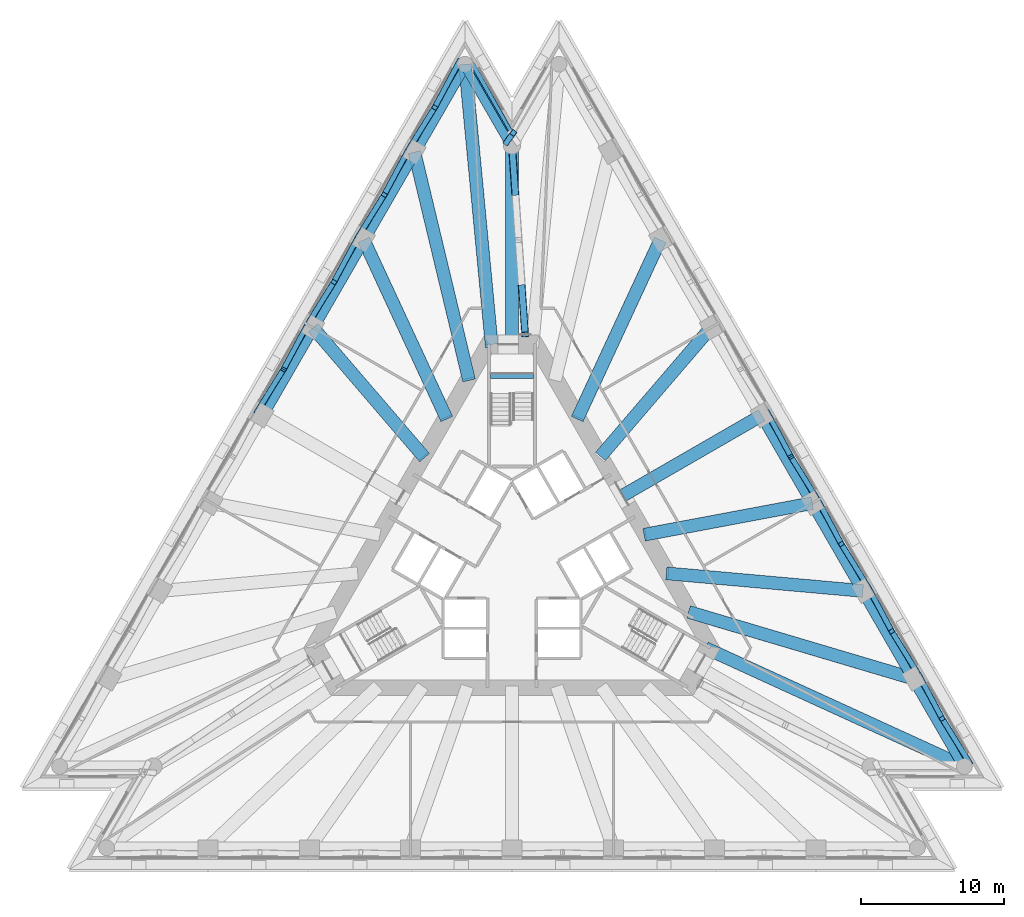
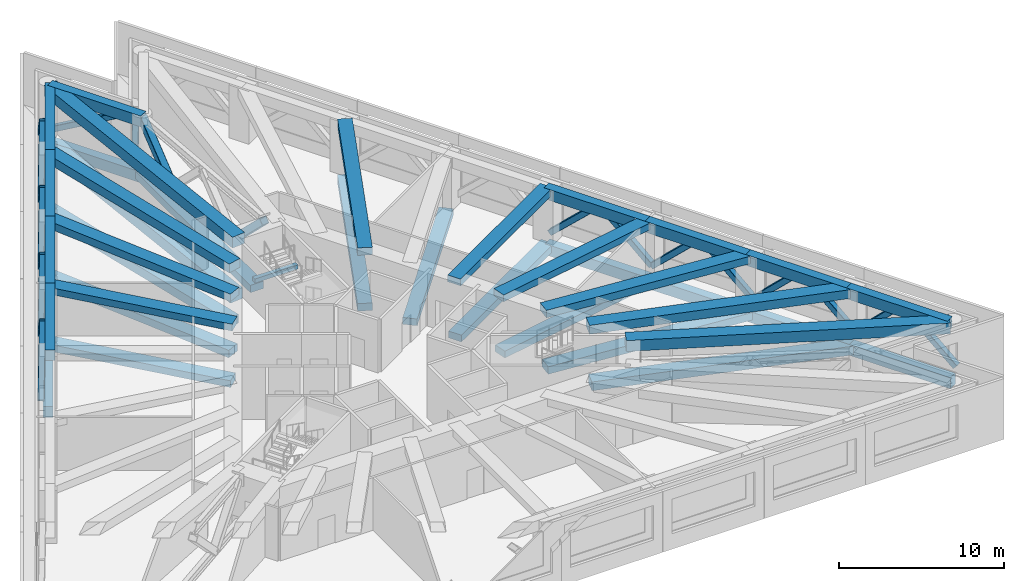
# One storey, part 3 of 13: 40 beams, 20 members.
"""IFC4 building model written with IfcOpenShell, lengths in metres."""

from ifc_helpers import new_model, si_unit, direction, frame, origin, origin_2d, place, context, subcontext, project, spatial, rectangle, hollow_rectangle, extrude, material, material_profile, profile_set, type_object, element, save


model = new_model("IFC4")

# Units and contexts
model_context = context("Model", 3, precision=1e-05, world=origin(), true_north=direction((0.0, 1.0)))
body_context = subcontext(model_context, "Body", "Model", "MODEL_VIEW")
ifc_project = project(units=[si_unit("LENGTHUNIT", "METRE"), si_unit("AREAUNIT", "SQUARE_METRE"), si_unit("VOLUMEUNIT", "CUBIC_METRE"), si_unit("PLANEANGLEUNIT", "RADIAN"), si_unit("MASSUNIT", "GRAM", prefix="KILO")], contexts=[model_context])

# Site, building, storey
site_placement = place(None, origin())
site = spatial("IfcSite", under=ifc_project, at=site_placement, CompositionType="ELEMENT")
building_placement = place(site_placement, origin())
building = spatial("IfcBuilding", under=site, at=building_placement, Name="Triada Interchange Tower", CompositionType="ELEMENT")
storey_placement = place(building_placement, frame((0.0, 0.0, 95.300048828125)))
storey = spatial("IfcBuildingStorey", under=building, at=storey_placement, Name="L21", CompositionType="ELEMENT", Elevation=95.300048828125)

# Members
ifc_material_1 = material(Name="Steel S355", Category="steel")
ifc_material_profile_1 = material_profile(ifc_material_1, hollow_rectangle(XDim=0.39990234375, YDim=0.39990234375, WallThickness=0.02001953125, InnerFilletRadius=0.02001953125, OuterFilletRadius=0.030029296875, at=origin_2d()), Name="RHS 400x400x20")
ifc_profile_set_1 = profile_set([ifc_material_profile_1], Name="Steel S355")
member_type_1 = type_object("IfcMemberType", Name="Belt truss diagonal RHS 400x400x20", PredefinedType="BRACE", material=ifc_profile_set_1)
member_1_placement = place(storey_placement, frame((-3.659912109375, 34.81396484375, 0.14990234375), z_axis=(-0.350368033847, -0.651026989502, 0.673354364208), x_axis=(0.880575510058, -0.473905867326, 0.0)))
element("IfcMember", 1, at=member_1_placement, inside=storey, type_object=member_type_1, Name="Belt truss diagonal 001 L21", PredefinedType="BRACE", context=body_context, shape_type="SweptSolid", body=[
    extrude(hollow_rectangle(XDim=0.39990234375, YDim=0.39990234375, WallThickness=0.02001953125, InnerFilletRadius=0.02001953125, OuterFilletRadius=0.030029296875, at=origin_2d()), origin(), (0.0, 0.0, 1.0), 4.975341796875),
])
member_2_placement = place(storey_placement, frame((-7.199951171875, 28.68310546875, 0.14990234375), z_axis=(0.37619292346, 0.605435486194, 0.70137490431), x_axis=(-0.849385240817, 0.527773353517, 0.0)))
element("IfcMember", 2, at=member_2_placement, inside=storey, type_object=member_type_1, Name="Belt truss diagonal 002 L21", PredefinedType="BRACE", context=body_context, shape_type="SweptSolid", body=[
    extrude(hollow_rectangle(XDim=0.39990234375, YDim=0.39990234375, WallThickness=0.02001953125, InnerFilletRadius=0.02001953125, OuterFilletRadius=0.030029296875, at=origin_2d()), origin(), (0.0, 0.0, 1.0), 4.7763671875),
])
member_3_placement = place(storey_placement, frame((-7.199951171875, 28.68310546875, 0.14990234375), z_axis=(-0.34850622911, -0.648057745776, 0.677173955798), x_axis=(0.880725090052, -0.47362782409, 0.0)))
element("IfcMember", 3, at=member_3_placement, inside=storey, type_object=member_type_1, Name="Belt truss diagonal 003 L21", PredefinedType="BRACE", context=body_context, shape_type="SweptSolid", body=[
    extrude(hollow_rectangle(XDim=0.39990234375, YDim=0.39990234375, WallThickness=0.02001953125, InnerFilletRadius=0.02001953125, OuterFilletRadius=0.030029296875, at=origin_2d()), origin(), (0.0, 0.0, 1.0), 4.947265625),
])
member_4_placement = place(storey_placement, frame((-10.739990234375, 22.551025390625, 0.14990234375), z_axis=(0.377969135836, 0.609029321457, 0.697296649899), x_axis=(-0.849670835009, 0.527313447709, 0.0)))
element("IfcMember", 4, at=member_4_placement, inside=storey, type_object=member_type_1, Name="Belt truss diagonal 004 L21", PredefinedType="BRACE", context=body_context, shape_type="SweptSolid", body=[
    extrude(hollow_rectangle(XDim=0.39990234375, YDim=0.39990234375, WallThickness=0.02001953125, InnerFilletRadius=0.02001953125, OuterFilletRadius=0.030029296875, at=origin_2d()), origin(), (0.0, 0.0, 1.0), 4.804443359375),
])
member_5_placement = place(storey_placement, frame((-10.739990234375, 22.551025390625, 0.14990234375), z_axis=(-0.346527764516, -0.644849446031, 0.681239825886), x_axis=(0.880869288949, -0.473359584022, 0.0)))
element("IfcMember", 5, at=member_5_placement, inside=storey, type_object=member_type_1, Name="Belt truss diagonal 005 L21", PredefinedType="BRACE", context=body_context, shape_type="SweptSolid", body=[
    extrude(hollow_rectangle(XDim=0.39990234375, YDim=0.39990234375, WallThickness=0.02001953125, InnerFilletRadius=0.02001953125, OuterFilletRadius=0.030029296875, at=origin_2d()), origin(), (0.0, 0.0, 1.0), 4.917724609375),
])
member_6_placement = place(storey_placement, frame((-14.280029296875, 16.419921875, 0.14990234375), z_axis=(0.37989728896, 0.612483341935, 0.693211515839), x_axis=(-0.849804737525, 0.527097626707, 0.0)))
element("IfcMember", 6, at=member_6_placement, inside=storey, type_object=member_type_1, Name="Belt truss diagonal 006 L21", PredefinedType="BRACE", context=body_context, shape_type="SweptSolid", body=[
    extrude(hollow_rectangle(XDim=0.39990234375, YDim=0.39990234375, WallThickness=0.02001953125, InnerFilletRadius=0.02001953125, OuterFilletRadius=0.030029296875, at=origin_2d()), origin(), (0.0, 0.0, 1.0), 4.832763671875),
])
member_7_placement = place(storey_placement, frame((-14.280029296875, 16.419921875, 0.14990234375), z_axis=(-0.344613363129, -0.641743778079, 0.685132507804), x_axis=(0.881009772568, -0.47309806662, 0.0)))
element("IfcMember", 7, at=member_7_placement, inside=storey, type_object=member_type_1, Name="Belt truss diagonal 007 L21", PredefinedType="BRACE", context=body_context, shape_type="SweptSolid", body=[
    extrude(hollow_rectangle(XDim=0.39990234375, YDim=0.39990234375, WallThickness=0.02001953125, InnerFilletRadius=0.02001953125, OuterFilletRadius=0.030029296875, at=origin_2d()), origin(), (0.0, 0.0, 1.0), 4.8896484375),
])
member_8_placement = place(storey_placement, frame((-17.820068359375, 10.2880859375, 0.14990234375), z_axis=(0.381619223838, 0.615924788356, 0.689204920967), x_axis=(-0.850059738448, 0.526686283351, 0.0)))
element("IfcMember", 8, at=member_8_placement, inside=storey, type_object=member_type_1, Name="Belt truss diagonal 008 L21", PredefinedType="BRACE", context=body_context, shape_type="SweptSolid", body=[
    extrude(hollow_rectangle(XDim=0.39990234375, YDim=0.39990234375, WallThickness=0.02001953125, InnerFilletRadius=0.02001953125, OuterFilletRadius=0.030029296875, at=origin_2d()), origin(), (0.0, 0.0, 1.0), 4.86083984375),
])
member_9_placement = place(storey_placement, frame((31.97998046875, -14.237060546875, 0.14990234375), z_axis=(-0.38872263528, 0.628914165158, 0.673321383654), x_axis=(-0.850631267183, -0.525762729081, 0.0)))
element("IfcMember", 9, at=member_9_placement, inside=storey, type_object=member_type_1, Name="Belt truss diagonal 041 L21", PredefinedType="BRACE", context=body_context, shape_type="SweptSolid", body=[
    extrude(hollow_rectangle(XDim=0.39990234375, YDim=0.39990234375, WallThickness=0.02001953125, InnerFilletRadius=0.02001953125, OuterFilletRadius=0.030029296875, at=origin_2d()), origin(), (0.0, 0.0, 1.0), 4.9755859375),
])
member_10_placement = place(storey_placement, frame((28.43994140625, -8.10595703125, 0.14990234375), z_axis=(0.336227662925, -0.628497315798, 0.701385830138), x_axis=(0.881752735062, 0.471711897466, 0.0)))
element("IfcMember", 10, at=member_10_placement, inside=storey, type_object=member_type_1, Name="Belt truss diagonal 042 L21", PredefinedType="BRACE", context=body_context, shape_type="SweptSolid", body=[
    extrude(hollow_rectangle(XDim=0.39990234375, YDim=0.39990234375, WallThickness=0.02001953125, InnerFilletRadius=0.02001953125, OuterFilletRadius=0.030029296875, at=origin_2d()), origin(), (0.0, 0.0, 1.0), 4.7763671875),
])
member_11_placement = place(storey_placement, frame((28.43994140625, -8.10595703125, 0.14990234375), z_axis=(-0.386970523008, 0.625717515329, 0.677297132235), x_axis=(-0.8504952598, -0.525982711748, 0.0)))
element("IfcMember", 11, at=member_11_placement, inside=storey, type_object=member_type_1, Name="Belt truss diagonal 043 L21", PredefinedType="BRACE", context=body_context, shape_type="SweptSolid", body=[
    extrude(hollow_rectangle(XDim=0.39990234375, YDim=0.39990234375, WallThickness=0.02001953125, InnerFilletRadius=0.02001953125, OuterFilletRadius=0.030029296875, at=origin_2d()), origin(), (0.0, 0.0, 1.0), 4.9462890625),
])
member_12_placement = place(storey_placement, frame((24.89990234375, -1.97412109375, 0.14990234375), z_axis=(0.338381782857, -0.632001651194, 0.697188412066), x_axis=(0.881590575317, 0.472014891198, 0.0)))
element("IfcMember", 12, at=member_12_placement, inside=storey, type_object=member_type_1, Name="Belt truss diagonal 044 L21", PredefinedType="BRACE", context=body_context, shape_type="SweptSolid", body=[
    extrude(hollow_rectangle(XDim=0.39990234375, YDim=0.39990234375, WallThickness=0.02001953125, InnerFilletRadius=0.02001953125, OuterFilletRadius=0.030029296875, at=origin_2d()), origin(), (0.0, 0.0, 1.0), 4.80517578125),
])
member_13_placement = place(storey_placement, frame((24.89990234375, -1.97412109375, 0.14990234375), z_axis=(-0.385343396763, 0.622447244088, 0.681226757328), x_axis=(-0.850253584729, -0.526373291168, 0.0)))
element("IfcMember", 13, at=member_13_placement, inside=storey, type_object=member_type_1, Name="Belt truss diagonal 045 L21", PredefinedType="BRACE", context=body_context, shape_type="SweptSolid", body=[
    extrude(hollow_rectangle(XDim=0.39990234375, YDim=0.39990234375, WallThickness=0.02001953125, InnerFilletRadius=0.02001953125, OuterFilletRadius=0.030029296875, at=origin_2d()), origin(), (0.0, 0.0, 1.0), 4.917724609375),
])
member_14_placement = place(storey_placement, frame((21.360107421875, 4.156982421875, 0.14990234375), z_axis=(0.340351909776, -0.63528651706, 0.693232730584), x_axis=(0.881468506946, 0.472242809646, 0.0)))
element("IfcMember", 14, at=member_14_placement, inside=storey, type_object=member_type_1, Name="Belt truss diagonal 046 L21", PredefinedType="BRACE", context=body_context, shape_type="SweptSolid", body=[
    extrude(hollow_rectangle(XDim=0.39990234375, YDim=0.39990234375, WallThickness=0.02001953125, InnerFilletRadius=0.02001953125, OuterFilletRadius=0.030029296875, at=origin_2d()), origin(), (0.0, 0.0, 1.0), 4.83251953125),
])
member_15_placement = place(storey_placement, frame((21.360107421875, 4.156982421875, 0.14990234375), z_axis=(-0.383468261877, 0.619291256779, 0.685149933526), x_axis=(-0.850205245653, -0.526451365526, 0.0)))
element("IfcMember", 15, at=member_15_placement, inside=storey, type_object=member_type_1, Name="Belt truss diagonal 047 L21", PredefinedType="BRACE", context=body_context, shape_type="SweptSolid", body=[
    extrude(hollow_rectangle(XDim=0.39990234375, YDim=0.39990234375, WallThickness=0.02001953125, InnerFilletRadius=0.02001953125, OuterFilletRadius=0.030029296875, at=origin_2d()), origin(), (0.0, 0.0, 1.0), 4.8896484375),
])
member_16_placement = place(storey_placement, frame((17.820068359375, 10.2880859375, 0.14990234375), z_axis=(0.342566635054, -0.638419638056, 0.689252106483), x_axis=(0.881160268064, 0.472817704815, 0.0)))
element("IfcMember", 16, at=member_16_placement, inside=storey, type_object=member_type_1, Name="Belt truss diagonal 048 L21", PredefinedType="BRACE", context=body_context, shape_type="SweptSolid", body=[
    extrude(hollow_rectangle(XDim=0.39990234375, YDim=0.39990234375, WallThickness=0.02001953125, InnerFilletRadius=0.02001953125, OuterFilletRadius=0.030029296875, at=origin_2d()), origin(), (0.0, 0.0, 1.0), 4.860595703125),
])
member_17_placement = place(storey_placement, frame((-0.381103515625, 29.134033203125, 0.14990234375), z_axis=(0.138593336362, 0.193379466262, 0.971285884353), x_axis=(-0.812807736318, 0.582532045282, 0.0)))
element("IfcMember", 17, at=member_17_placement, inside=storey, type_object=member_type_1, Name="Belt truss diagonal 058 L21", PredefinedType="BRACE", context=body_context, shape_type="SweptSolid", body=[
    extrude(hollow_rectangle(XDim=0.39990234375, YDim=0.39990234375, WallThickness=0.02001953125, InnerFilletRadius=0.02001953125, OuterFilletRadius=0.030029296875, at=origin_2d()), origin(), (0.0, 0.0, 1.0), 3.44921875),
])
member_18_placement = place(storey_placement, frame((-2.89794921875, 34.81396484375, 0.14990234375), z_axis=(0.421321361817, -0.75403046476, 0.503911071808), x_axis=(0.872967443256, 0.487778477401, 0.0)))
element("IfcMember", 18, at=member_18_placement, inside=storey, type_object=member_type_1, Name="Belt truss diagonal 060 L21", PredefinedType="BRACE", context=body_context, shape_type="SweptSolid", body=[
    extrude(hollow_rectangle(XDim=0.39990234375, YDim=0.39990234375, WallThickness=0.02001953125, InnerFilletRadius=0.02001953125, OuterFilletRadius=0.030029296875, at=origin_2d()), origin(), (0.0, 0.0, 1.0), 6.648193359375),
])

# Beam
ifc_material_2 = material(Name="Concrete C35/45", Category="concrete")
ifc_material_profile_2 = material_profile(ifc_material_2, rectangle(XDim=0.300048828125, YDim=0.300048828125, at=origin_2d()), Name="RC 300x300")
ifc_profile_set_2 = profile_set([ifc_material_profile_2], Name="Concrete C35/45")
beam_type_1 = type_object("IfcBeamType", Name="Landing support beam RC 300x300", PredefinedType="BEAM", material=ifc_profile_set_2)
beam_1_placement = place(storey_placement, frame((1.5, 12.800048828125, 1.822265625), z_axis=(-1.0, 0.0, 0.0), x_axis=(0.0, -1.0, 0.0)))
element("IfcBeam", 19, at=beam_1_placement, inside=storey, type_object=beam_type_1, Name="Landing support beam S21-1 1", PredefinedType="BEAM", context=body_context, shape_type="SweptSolid", body=[
    extrude(rectangle(XDim=0.300048828125, YDim=0.300048828125, at=origin_2d()), origin(), (0.0, 0.0, 1.0), 3.0),
])

# Members
ifc_material_profile_3 = material_profile(ifc_material_1, hollow_rectangle(XDim=0.5, YDim=0.5, WallThickness=0.02490234375, InnerFilletRadius=0.02490234375, OuterFilletRadius=0.03759765625, at=origin_2d()), Name="RHS 500x500x25")
ifc_profile_set_3 = profile_set([ifc_material_profile_3], Name="Steel S355")
member_type_2 = type_object("IfcMemberType", Name="Outrigger diagonal RHS 500x500x25", PredefinedType="BRACE", material=ifc_profile_set_3)
for number, where, z_axis, x_axis, name in (
    (20, (0.9189453125, 15.718017578125, 3.58984375), (-0.049376868599, 0.708311704221, -0.704170756642), (-0.997579032796, -0.06954188181, 0.0), "Outrigger diagonal N 1 L21"),
    (21, (0.22998046875, 25.614990234375, 0.31005859375), (-0.049376868599, 0.708311704221, 0.704170756642), (-0.997579032796, -0.06954188181, 0.0), "Outrigger diagonal N 4 L21"),
):
    element("IfcMember", number, at=place(storey_placement, frame(where, z_axis=z_axis, x_axis=x_axis)), inside=storey, type_object=member_type_2, Name=name, PredefinedType="BRACE", context=body_context, shape_type="SweptSolid", body=[
        extrude(hollow_rectangle(XDim=0.5, YDim=0.5, WallThickness=0.02490234375, InnerFilletRadius=0.02490234375, OuterFilletRadius=0.03759765625, at=origin_2d()), origin(), (0.0, 0.0, 1.0), 4.65771484375),
    ])

# Beams
ifc_material_3 = material(Name="Concrete C50/60", Category="concrete")
ifc_material_profile_4 = material_profile(ifc_material_3, rectangle(XDim=0.89990234375, YDim=0.5, at=origin_2d()), Name="RC 900x500")
ifc_profile_set_4 = profile_set([ifc_material_profile_4], Name="Concrete C50/60")
beam_type_2 = type_object("IfcBeamType", Name="Radial band beam A RC 900x500", PredefinedType="BEAM", material=ifc_profile_set_4)
beam_2_placement = place(storey_placement, frame((-13.89892578125, 16.199951171875, -0.550048828125), z_axis=(0.651115161165, -0.758978950236, 0.0), x_axis=(0.758978950236, 0.651115161165, 0.0)))
element("IfcBeam", 22, at=beam_2_placement, inside=storey, type_object=beam_type_2, Name="Radial band beam BA04 L21", PredefinedType="BEAM", context=body_context, shape_type="SweptSolid", body=[
    extrude(rectangle(XDim=0.89990234375, YDim=0.5, at=origin_2d()), origin(), (0.0, 0.0, 1.0), 11.858154296875),
])
beam_3_placement = place(storey_placement, frame((20.97900390625, 3.93701171875, -0.550048828125), z_axis=(-0.982846306402, -0.184426511086, 0.0), x_axis=(0.184426511086, -0.982846306402, 0.0)))
element("IfcBeam", 23, at=beam_3_placement, inside=storey, type_object=beam_type_2, Name="Radial band beam BA24 L21", PredefinedType="BEAM", context=body_context, shape_type="SweptSolid", body=[
    extrude(rectangle(XDim=0.89990234375, YDim=0.5, at=origin_2d()), origin(), (0.0, 0.0, 1.0), 11.8583984375),
])
beam_4_placement = place(storey_placement, frame((17.43896484375, 10.068115234375, -0.550048828125), z_axis=(-0.866038760323, -0.499976865083, 0.0), x_axis=(0.499976865083, -0.866038760323, 0.0)))
element("IfcBeam", 24, at=beam_4_placement, inside=storey, type_object=beam_type_2, Name="Radial band beam BA25 L21", PredefinedType="BEAM", context=body_context, shape_type="SweptSolid", body=[
    extrude(rectangle(XDim=0.89990234375, YDim=0.5, at=origin_2d()), origin(), (0.0, 0.0, 1.0), 11.1865234375),
])
beam_5_placement = place(storey_placement, frame((13.89892578125, 16.199951171875, -0.550048828125), z_axis=(-0.651115161165, -0.758978950236, 0.0), x_axis=(0.758978950236, -0.651115161165, 0.0)))
element("IfcBeam", 25, at=beam_5_placement, inside=storey, type_object=beam_type_2, Name="Radial band beam BA26 L21", PredefinedType="BEAM", context=body_context, shape_type="SweptSolid", body=[
    extrude(rectangle(XDim=0.89990234375, YDim=0.5, at=origin_2d()), origin(), (0.0, 0.0, 1.0), 11.858154296875),
])
beam_6_placement = place(storey_placement, frame((-13.822998046875, 16.111083984375, 3.64990234375), z_axis=(0.651156137851, -0.758943795112, 0.0), x_axis=(0.758943795112, 0.651156137851, 0.0)))
element("IfcBeam", 26, at=beam_6_placement, inside=storey, type_object=beam_type_2, Name="Radial band beam BA04 L22", PredefinedType="BEAM", context=body_context, shape_type="SweptSolid", body=[
    extrude(rectangle(XDim=0.89990234375, YDim=0.5, at=origin_2d()), origin(), (0.0, 0.0, 1.0), 11.848388671875),
])
beam_7_placement = place(storey_placement, frame((20.864013671875, 3.916015625, 3.64990234375), z_axis=(-0.982829702677, -0.184514973744, 0.0), x_axis=(0.184514973744, -0.982829702677, 0.0)))
element("IfcBeam", 27, at=beam_7_placement, inside=storey, type_object=beam_type_2, Name="Radial band beam BA24 L22", PredefinedType="BEAM", context=body_context, shape_type="SweptSolid", body=[
    extrude(rectangle(XDim=0.89990234375, YDim=0.5, at=origin_2d()), origin(), (0.0, 0.0, 1.0), 11.847412109375),
])
beam_8_placement = place(storey_placement, frame((17.343994140625, 10.013916015625, 3.64990234375), z_axis=(-0.866019358432, -0.500010470711, 0.0), x_axis=(0.500010470711, -0.866019358432, 0.0)))
element("IfcBeam", 28, at=beam_8_placement, inside=storey, type_object=beam_type_2, Name="Radial band beam BA25 L22", PredefinedType="BEAM", context=body_context, shape_type="SweptSolid", body=[
    extrude(rectangle(XDim=0.89990234375, YDim=0.5, at=origin_2d()), origin(), (0.0, 0.0, 1.0), 11.177490234375),
])
ifc_material_profile_5 = material_profile(ifc_material_3, rectangle(XDim=0.89990234375, YDim=0.550048828125, at=origin_2d()), Name="RC 900x550")
ifc_profile_set_5 = profile_set([ifc_material_profile_5], Name="Concrete C50/60")
beam_type_3 = type_object("IfcBeamType", Name="Radial band beam A RC 900x550", PredefinedType="BEAM", material=ifc_profile_set_5)
beam_9_placement = place(storey_placement, frame((-10.35888671875, 22.3310546875, -0.574951171875), z_axis=(0.420807592613, -0.907149915945, 0.0), x_axis=(0.907149915945, 0.420807592613, 0.0)))
element("IfcBeam", 29, at=beam_9_placement, inside=storey, type_object=beam_type_3, Name="Radial band beam BA03 L21", PredefinedType="BEAM", context=body_context, shape_type="SweptSolid", body=[
    extrude(rectangle(XDim=0.89990234375, YDim=0.550048828125, at=origin_2d()), origin(), (0.0, 0.0, 1.0), 13.67578125),
])
beam_10_placement = place(storey_placement, frame((24.51904296875, -2.194091796875, -0.574951171875), z_axis=(-0.996019385693, 0.08913687971, 0.0), x_axis=(-0.08913687971, -0.996019385693, 0.0)))
element("IfcBeam", 30, at=beam_10_placement, inside=storey, type_object=beam_type_3, Name="Radial band beam BA23 L21", PredefinedType="BEAM", context=body_context, shape_type="SweptSolid", body=[
    extrude(rectangle(XDim=0.89990234375, YDim=0.550048828125, at=origin_2d()), origin(), (0.0, 0.0, 1.0), 13.675537109375),
])
beam_11_placement = place(storey_placement, frame((10.35888671875, 22.3310546875, -0.574951171875), z_axis=(-0.420807592613, -0.907149915945, 0.0), x_axis=(0.907149915945, -0.420807592613, 0.0)))
element("IfcBeam", 31, at=beam_11_placement, inside=storey, type_object=beam_type_3, Name="Radial band beam BA27 L21", PredefinedType="BEAM", context=body_context, shape_type="SweptSolid", body=[
    extrude(rectangle(XDim=0.89990234375, YDim=0.550048828125, at=origin_2d()), origin(), (0.0, 0.0, 1.0), 13.67578125),
])
beam_12_placement = place(storey_placement, frame((0.0, 28.9140625, -0.574951171875), z_axis=(0.0, -1.0, 0.0), x_axis=(1.0, 0.0, 0.0)))
element("IfcBeam", 32, at=beam_12_placement, inside=storey, type_object=beam_type_3, Name="Radial band beam BA30 L21", PredefinedType="BEAM", context=body_context, shape_type="SweptSolid", body=[
    extrude(rectangle(XDim=0.89990234375, YDim=0.550048828125, at=origin_2d()), origin(), (0.0, 0.0, 1.0), 13.88916015625),
])
beam_13_placement = place(storey_placement, frame((-10.302978515625, 22.208984375, 3.625), z_axis=(0.420820451633, -0.907143950808, 0.0), x_axis=(0.907143950808, 0.420820451633, 0.0)))
element("IfcBeam", 33, at=beam_13_placement, inside=storey, type_object=beam_type_3, Name="Radial band beam BA03 L22", PredefinedType="BEAM", context=body_context, shape_type="SweptSolid", body=[
    extrude(rectangle(XDim=0.89990234375, YDim=0.550048828125, at=origin_2d()), origin(), (0.0, 0.0, 1.0), 13.663818359375),
])
beam_14_placement = place(storey_placement, frame((24.384033203125, -2.181884765625, 3.625), z_axis=(-0.996020360989, 0.089125981031, 0.0), x_axis=(-0.089125981031, -0.996020360989, 0.0)))
element("IfcBeam", 34, at=beam_14_placement, inside=storey, type_object=beam_type_3, Name="Radial band beam BA23 L22", PredefinedType="BEAM", context=body_context, shape_type="SweptSolid", body=[
    extrude(rectangle(XDim=0.89990234375, YDim=0.550048828125, at=origin_2d()), origin(), (0.0, 0.0, 1.0), 13.66357421875),
])
beam_15_placement = place(storey_placement, frame((10.302978515625, 22.208984375, 3.625), z_axis=(-0.420820451633, -0.907143950808, 0.0), x_axis=(0.907143950808, -0.420820451633, 0.0)))
element("IfcBeam", 35, at=beam_15_placement, inside=storey, type_object=beam_type_3, Name="Radial band beam BA27 L22", PredefinedType="BEAM", context=body_context, shape_type="SweptSolid", body=[
    extrude(rectangle(XDim=0.89990234375, YDim=0.550048828125, at=origin_2d()), origin(), (0.0, 0.0, 1.0), 13.663818359375),
])
ifc_material_profile_6 = material_profile(ifc_material_3, rectangle(XDim=0.89990234375, YDim=0.64990234375, at=origin_2d()), Name="RC 900x650")
ifc_profile_set_6 = profile_set([ifc_material_profile_6], Name="Concrete C50/60")
beam_type_4 = type_object("IfcBeamType", Name="Radial band beam A RC 900x650", PredefinedType="BEAM", material=ifc_profile_set_6)
beam_16_placement = place(storey_placement, frame((-6.819091796875, 28.462890625, -0.625), z_axis=(0.23297767369, -0.972482083928, 0.0), x_axis=(0.972482083928, 0.23297767369, 0.0)))
element("IfcBeam", 36, at=beam_16_placement, inside=storey, type_object=beam_type_4, Name="Radial band beam BA02 L21", PredefinedType="BEAM", context=body_context, shape_type="SweptSolid", body=[
    extrude(rectangle(XDim=0.89990234375, YDim=0.64990234375, at=origin_2d()), origin(), (0.0, 0.0, 1.0), 16.259521484375),
])
beam_17_placement = place(storey_placement, frame((28.05908203125, -8.325927734375, -0.625), z_axis=(-0.958692619813, 0.284444125824, 0.0), x_axis=(-0.284444125824, -0.958692619813, 0.0)))
element("IfcBeam", 37, at=beam_17_placement, inside=storey, type_object=beam_type_4, Name="Radial band beam BA22 L21", PredefinedType="BEAM", context=body_context, shape_type="SweptSolid", body=[
    extrude(rectangle(XDim=0.89990234375, YDim=0.64990234375, at=origin_2d()), origin(), (0.0, 0.0, 1.0), 16.259765625),
])
beam_18_placement = place(storey_placement, frame((-6.781982421875, 28.305908203125, 3.574951171875), z_axis=(0.233004016778, -0.972475772534, 0.0), x_axis=(0.972475772534, 0.233004016778, 0.0)))
element("IfcBeam", 38, at=beam_18_placement, inside=storey, type_object=beam_type_4, Name="Radial band beam BA02 L22", PredefinedType="BEAM", context=body_context, shape_type="SweptSolid", body=[
    extrude(rectangle(XDim=0.89990234375, YDim=0.64990234375, at=origin_2d()), origin(), (0.0, 0.0, 1.0), 16.243896484375),
])
beam_19_placement = place(storey_placement, frame((27.905029296875, -8.279052734375, 3.574951171875), z_axis=(-0.958687666566, 0.284460819751, 0.0), x_axis=(-0.284460819751, -0.958687666566, 0.0)))
element("IfcBeam", 39, at=beam_19_placement, inside=storey, type_object=beam_type_4, Name="Radial band beam BA22 L22", PredefinedType="BEAM", context=body_context, shape_type="SweptSolid", body=[
    extrude(rectangle(XDim=0.89990234375, YDim=0.64990234375, at=origin_2d()), origin(), (0.0, 0.0, 1.0), 16.2451171875),
])
ifc_material_profile_7 = material_profile(ifc_material_3, rectangle(XDim=0.89990234375, YDim=0.800048828125, at=origin_2d()), Name="RC 900x800")
ifc_profile_set_7 = profile_set([ifc_material_profile_7], Name="Concrete C50/60")
beam_type_5 = type_object("IfcBeamType", Name="Radial band beam A RC 900x800", PredefinedType="BEAM", material=ifc_profile_set_7)
beam_20_placement = place(storey_placement, frame((-3.279052734375, 34.593994140625, -0.699951171875), z_axis=(0.094368321416, -0.995537352344, 0.0), x_axis=(0.995537352344, 0.094368321416, 0.0)))
element("IfcBeam", 40, at=beam_20_placement, inside=storey, type_object=beam_type_5, Name="Radial band beam BA01 L21", PredefinedType="BEAM", context=body_context, shape_type="SweptSolid", body=[
    extrude(rectangle(XDim=0.89990234375, YDim=0.800048828125, at=origin_2d()), origin(), (0.0, 0.0, 1.0), 19.65673828125),
])
for number, where, z_axis, x_axis, name in (
    (41, (-3.261962890625, 34.404052734375, 3.5), (0.094398362541, -0.995534504249, 0.0), (0.995534504249, 0.094398362541, 0.0), "Radial band beam BA01 L22"),
    (42, (31.425048828125, -14.376953125, 3.5), (-0.909362198352, 0.416005279064, 0.0), (-0.416005279064, -0.909362198352, 0.0), "Radial band beam BA21 L22"),
):
    element("IfcBeam", number, at=place(storey_placement, frame(where, z_axis=z_axis, x_axis=x_axis)), inside=storey, type_object=beam_type_5, Name=name, PredefinedType="BEAM", context=body_context, shape_type="SweptSolid", body=[
        extrude(rectangle(XDim=0.89990234375, YDim=0.800048828125, at=origin_2d()), origin(), (0.0, 0.0, 1.0), 19.69189453125),
    ])
ifc_material_profile_8 = material_profile(ifc_material_3, rectangle(XDim=0.60009765625, YDim=0.800048828125, at=origin_2d()), Name="RC 600x800")
ifc_profile_set_8 = profile_set([ifc_material_profile_8], Name="Concrete C50/60")
beam_type_6 = type_object("IfcBeamType", Name="Spandrel beam A RC 600x800", PredefinedType="BEAM", material=ifc_profile_set_8)
beam_21_placement = place(storey_placement, frame((-3.279052734375, 34.593994140625, -0.699951171875), z_axis=(-0.500025932755, -0.866010430984, 0.0), x_axis=(0.866010430984, -0.500025932755, 0.0)))
element("IfcBeam", 43, at=beam_21_placement, inside=storey, type_object=beam_type_6, Name="Spandrel beam EA01 L21", PredefinedType="BEAM", context=body_context, shape_type="SweptSolid", body=[
    extrude(rectangle(XDim=0.60009765625, YDim=0.800048828125, at=origin_2d()), origin(), (0.0, 0.0, 1.0), 7.07958984375),
])
beam_22_placement = place(storey_placement, frame((-6.819091796875, 28.462890625, -0.699951171875), z_axis=(-0.499955275397, -0.866051224006, 0.0), x_axis=(0.866051224006, -0.499955275397, 0.0)))
element("IfcBeam", 44, at=beam_22_placement, inside=storey, type_object=beam_type_6, Name="Spandrel beam EA02 L21", PredefinedType="BEAM", context=body_context, shape_type="SweptSolid", body=[
    extrude(rectangle(XDim=0.60009765625, YDim=0.800048828125, at=origin_2d()), origin(), (0.0, 0.0, 1.0), 7.080322265625),
])
beam_23_placement = place(storey_placement, frame((-10.35888671875, 22.3310546875, -0.699951171875), z_axis=(-0.500025932755, -0.866010430984, 0.0), x_axis=(0.866010430984, -0.500025932755, 0.0)))
element("IfcBeam", 45, at=beam_23_placement, inside=storey, type_object=beam_type_6, Name="Spandrel beam EA03 L21", PredefinedType="BEAM", context=body_context, shape_type="SweptSolid", body=[
    extrude(rectangle(XDim=0.60009765625, YDim=0.800048828125, at=origin_2d()), origin(), (0.0, 0.0, 1.0), 7.07958984375),
])
beam_24_placement = place(storey_placement, frame((-13.89892578125, 16.199951171875, -0.699951171875), z_axis=(-0.499981137809, -0.866036293601, 0.0), x_axis=(0.866036293601, -0.499981137809, 0.0)))
element("IfcBeam", 46, at=beam_24_placement, inside=storey, type_object=beam_type_6, Name="Spandrel beam EA04 L21", PredefinedType="BEAM", context=body_context, shape_type="SweptSolid", body=[
    extrude(rectangle(XDim=0.60009765625, YDim=0.800048828125, at=origin_2d()), origin(), (0.0, 0.0, 1.0), 7.080322265625),
])
beam_25_placement = place(storey_placement, frame((31.59912109375, -14.45703125, -0.699951171875), z_axis=(-0.500025932755, 0.866010430984, 0.0), x_axis=(-0.866010430984, -0.500025932755, 0.0)))
element("IfcBeam", 47, at=beam_25_placement, inside=storey, type_object=beam_type_6, Name="Spandrel beam EA21 L21", PredefinedType="BEAM", context=body_context, shape_type="SweptSolid", body=[
    extrude(rectangle(XDim=0.60009765625, YDim=0.800048828125, at=origin_2d()), origin(), (0.0, 0.0, 1.0), 7.07958984375),
])
beam_26_placement = place(storey_placement, frame((28.05908203125, -8.325927734375, -0.699951171875), z_axis=(-0.499981137809, 0.866036293601, 0.0), x_axis=(-0.866036293601, -0.499981137809, 0.0)))
element("IfcBeam", 48, at=beam_26_placement, inside=storey, type_object=beam_type_6, Name="Spandrel beam EA22 L21", PredefinedType="BEAM", context=body_context, shape_type="SweptSolid", body=[
    extrude(rectangle(XDim=0.60009765625, YDim=0.800048828125, at=origin_2d()), origin(), (0.0, 0.0, 1.0), 7.080322265625),
])
for number, where, z_axis, x_axis, name in (
    (49, (24.51904296875, -2.194091796875, -0.699951171875), (-0.500025932755, 0.866010430984, 0.0), (-0.866010430984, -0.500025932755, 0.0), "Spandrel beam EA23 L21"),
    (50, (20.97900390625, 3.93701171875, -0.699951171875), (-0.500025932755, 0.866010430984, 0.0), (-0.866010430984, -0.500025932755, 0.0), "Spandrel beam EA24 L21"),
):
    element("IfcBeam", number, at=place(storey_placement, frame(where, z_axis=z_axis, x_axis=x_axis)), inside=storey, type_object=beam_type_6, Name=name, PredefinedType="BEAM", context=body_context, shape_type="SweptSolid", body=[
        extrude(rectangle(XDim=0.60009765625, YDim=0.800048828125, at=origin_2d()), origin(), (0.0, 0.0, 1.0), 7.07958984375),
    ])
beam_27_placement = place(storey_placement, frame((0.0, 28.9140625, -0.699951171875), z_axis=(-0.4999705729, 0.866042392862, 0.0), x_axis=(-0.866042392862, -0.4999705729, 0.0)))
element("IfcBeam", 51, at=beam_27_placement, inside=storey, type_object=beam_type_6, Name="Spandrel beam EA30 L21", PredefinedType="BEAM", context=body_context, shape_type="SweptSolid", body=[
    extrude(rectangle(XDim=0.60009765625, YDim=0.800048828125, at=origin_2d()), origin(), (0.0, 0.0, 1.0), 6.55859375),
])
beam_28_placement = place(storey_placement, frame((-3.261962890625, 34.404052734375, 3.5), z_axis=(-0.499920551933, -0.866071268289, 0.0), x_axis=(0.866071268289, -0.499920551933, 0.0)))
element("IfcBeam", 52, at=beam_28_placement, inside=storey, type_object=beam_type_6, Name="Spandrel beam EA01 L22", PredefinedType="BEAM", context=body_context, shape_type="SweptSolid", body=[
    extrude(rectangle(XDim=0.60009765625, YDim=0.800048828125, at=origin_2d()), origin(), (0.0, 0.0, 1.0), 7.041259765625),
])
beam_29_placement = place(storey_placement, frame((-6.781982421875, 28.305908203125, 3.5), z_axis=(-0.500099648901, -0.86596786382, 0.0), x_axis=(0.86596786382, -0.500099648901, 0.0)))
element("IfcBeam", 53, at=beam_29_placement, inside=storey, type_object=beam_type_6, Name="Spandrel beam EA02 L22", PredefinedType="BEAM", context=body_context, shape_type="SweptSolid", body=[
    extrude(rectangle(XDim=0.60009765625, YDim=0.800048828125, at=origin_2d()), origin(), (0.0, 0.0, 1.0), 7.04052734375),
])
beam_30_placement = place(storey_placement, frame((-10.302978515625, 22.208984375, 3.5), z_axis=(-0.499935564725, -0.866062602312, 0.0), x_axis=(0.866062602312, -0.499935564725, 0.0)))
element("IfcBeam", 54, at=beam_30_placement, inside=storey, type_object=beam_type_6, Name="Spandrel beam EA03 L22", PredefinedType="BEAM", context=body_context, shape_type="SweptSolid", body=[
    extrude(rectangle(XDim=0.60009765625, YDim=0.800048828125, at=origin_2d()), origin(), (0.0, 0.0, 1.0), 7.041015625),
])
beam_31_placement = place(storey_placement, frame((-13.822998046875, 16.111083984375, 3.5), z_axis=(-0.500084632063, -0.865976535926, 0.0), x_axis=(0.865976535926, -0.500084632063, 0.0)))
element("IfcBeam", 55, at=beam_31_placement, inside=storey, type_object=beam_type_6, Name="Spandrel beam EA04 L22", PredefinedType="BEAM", context=body_context, shape_type="SweptSolid", body=[
    extrude(rectangle(XDim=0.60009765625, YDim=0.800048828125, at=origin_2d()), origin(), (0.0, 0.0, 1.0), 7.040771484375),
])
beam_32_placement = place(storey_placement, frame((31.425048828125, -14.376953125, 3.5), z_axis=(-0.499935564725, 0.866062602312, 0.0), x_axis=(-0.866062602312, -0.499935564725, 0.0)))
element("IfcBeam", 56, at=beam_32_placement, inside=storey, type_object=beam_type_6, Name="Spandrel beam EA21 L22", PredefinedType="BEAM", context=body_context, shape_type="SweptSolid", body=[
    extrude(rectangle(XDim=0.60009765625, YDim=0.800048828125, at=origin_2d()), origin(), (0.0, 0.0, 1.0), 7.041015625),
])
beam_33_placement = place(storey_placement, frame((27.905029296875, -8.279052734375, 3.5), z_axis=(-0.500084632063, 0.865976535926, 0.0), x_axis=(-0.865976535926, -0.500084632063, 0.0)))
element("IfcBeam", 57, at=beam_33_placement, inside=storey, type_object=beam_type_6, Name="Spandrel beam EA22 L22", PredefinedType="BEAM", context=body_context, shape_type="SweptSolid", body=[
    extrude(rectangle(XDim=0.60009765625, YDim=0.800048828125, at=origin_2d()), origin(), (0.0, 0.0, 1.0), 7.040771484375),
])
for number, where, z_axis, x_axis, name in (
    (58, (24.384033203125, -2.181884765625, 3.5), (-0.499935564725, 0.866062602312, 0.0), (-0.866062602312, -0.499935564725, 0.0), "Spandrel beam EA23 L22"),
    (59, (20.864013671875, 3.916015625, 3.5), (-0.499935564725, 0.866062602312, 0.0), (-0.866062602312, -0.499935564725, 0.0), "Spandrel beam EA24 L22"),
):
    element("IfcBeam", number, at=place(storey_placement, frame(where, z_axis=z_axis, x_axis=x_axis)), inside=storey, type_object=beam_type_6, Name=name, PredefinedType="BEAM", context=body_context, shape_type="SweptSolid", body=[
        extrude(rectangle(XDim=0.60009765625, YDim=0.800048828125, at=origin_2d()), origin(), (0.0, 0.0, 1.0), 7.041015625),
    ])
beam_34_placement = place(storey_placement, frame((0.0, 28.7529296875, 3.5), z_axis=(-0.499917868789, 0.866072817069, 0.0), x_axis=(-0.866072817069, -0.499917868789, 0.0)))
element("IfcBeam", 60, at=beam_34_placement, inside=storey, type_object=beam_type_6, Name="Spandrel beam EA30 L22", PredefinedType="BEAM", context=body_context, shape_type="SweptSolid", body=[
    extrude(rectangle(XDim=0.60009765625, YDim=0.800048828125, at=origin_2d()), origin(), (0.0, 0.0, 1.0), 6.52490234375),
])

save(model, "model.ifc")
